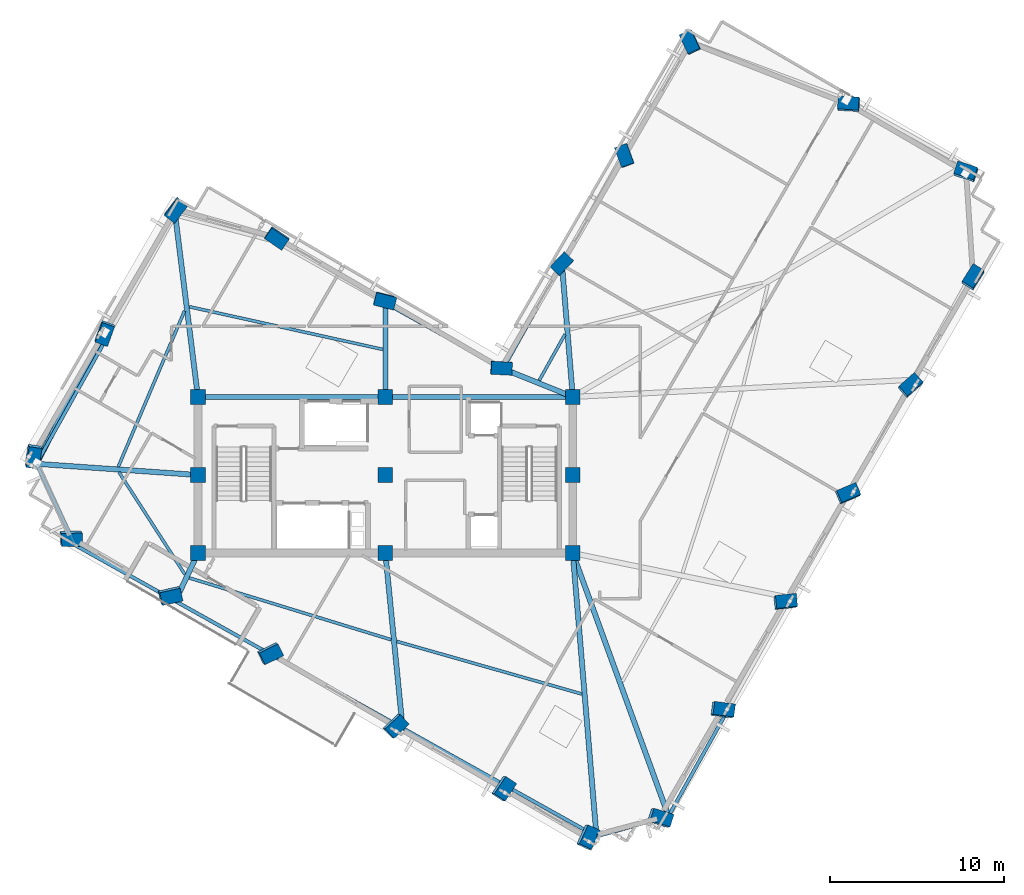
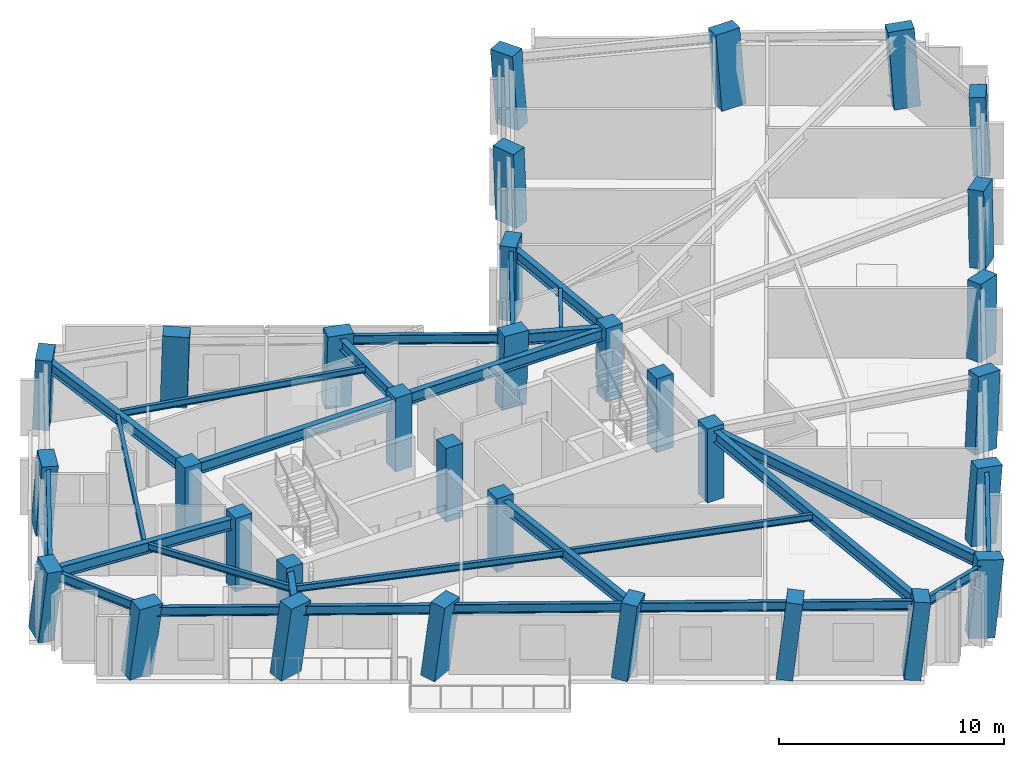
# One storey, part 1 of 12: 32 columns, 28 beams, 1 member.
"""IFC4 building model written with IfcOpenShell, lengths in metres."""

from ifc_helpers import new_model, si_unit, direction, frame, origin, origin_2d, place, context, subcontext, project, spatial, rectangle, hollow_circle, i_section, extrude, material, material_profile, profile_set, type_object, element, save


model = new_model("IFC4")

# Units and contexts
model_context = context("Model", 3, precision=1e-05, world=origin(), true_north=direction((0.0, 1.0)))
body_context = subcontext(model_context, "Body", "Model", "MODEL_VIEW")
ifc_project = project(units=[si_unit("LENGTHUNIT", "METRE"), si_unit("AREAUNIT", "SQUARE_METRE"), si_unit("VOLUMEUNIT", "CUBIC_METRE"), si_unit("PLANEANGLEUNIT", "RADIAN"), si_unit("MASSUNIT", "GRAM", prefix="KILO")], contexts=[model_context])

# Site, building, storey
site_placement = place(None, origin())
site = spatial("IfcSite", under=ifc_project, at=site_placement, CompositionType="ELEMENT")
building_placement = place(site_placement, origin())
building = spatial("IfcBuilding", under=site, at=building_placement, Name="Gaonmaruhae Medical Tower", CompositionType="ELEMENT")
storey_placement = place(building_placement, frame((0.0, 0.0, 280.60009765625)))
storey = spatial("IfcBuildingStorey", under=building, at=storey_placement, Name="L67", CompositionType="ELEMENT", Elevation=280.60009765625)

# Columns
ifc_material_1 = material(Name="Concrete C50/60", Category="concrete")
ifc_material_profile_1 = material_profile(ifc_material_1, rectangle(XDim=0.85009765625, YDim=0.85009765625, at=origin_2d()), Name="RC-850x850")
ifc_profile_set_1 = profile_set([ifc_material_profile_1], Name="Concrete C50/60")
column_type_1 = type_object("IfcColumnType", Name="CC-06 Upper Core Column (RC-850x850)", PredefinedType="COLUMN", material=ifc_profile_set_1)
for number, where, z_axis, x_axis, name in (
    (1, (14.0, 7.800048828125, 0.0), (0.0, 0.0, 1.0), (1.0, 0.0, 0.0), "L67 Plumb Core Column CC11"),
    (2, (14.0, 12.300048828125, 0.0), (0.0, 0.0, 1.0), (1.0, 0.0, 0.0), "L67 Plumb Core Column CC12"),
    (3, (14.0, 16.800048828125, 0.0), (0.0, 0.0, 1.0), (1.0, 0.0, 0.0), "L67 Plumb Core Column CC13"),
    (4, (24.800048828125, 7.800048828125, 0.0), (0.0, 0.0, 1.0), (1.0, 0.0, 0.0), "L67 Plumb Core Column CC21"),
    (5, (24.800048828125, 12.300048828125, 0.0), (0.0, 0.0, 1.0), (1.0, 0.0, 0.0), "L67 Plumb Core Column CC22"),
    (6, (24.800048828125, 16.800048828125, 0.0), (0.0, 0.0, 1.0), (1.0, 0.0, 0.0), "L67 Plumb Core Column CC23"),
    (7, (35.60009765625, 7.800048828125, 0.0), (0.0, 0.0, 1.0), (1.0, 0.0, 0.0), "L67 Plumb Core Column CC31"),
    (8, (35.60009765625, 12.300048828125, 0.0), (0.0, 0.0, 1.0), (1.0, 0.0, 0.0), "L67 Plumb Core Column CC32"),
    (9, (35.60009765625, 16.800048828125, 0.0), (0.0, 0.0, 1.0), (1.0, 0.0, 0.0), "L67 Plumb Core Column CC33"),
):
    element("IfcColumn", number, at=place(storey_placement, frame(where, z_axis=z_axis, x_axis=x_axis)), inside=storey, type_object=column_type_1, Name=name, PredefinedType="COLUMN", context=body_context, shape_type="SweptSolid", body=[
        extrude(rectangle(XDim=0.85009765625, YDim=0.85009765625, at=origin_2d()), origin(), (0.0, 0.0, 1.0), 4.0),
    ])
ifc_material_profile_2 = material_profile(ifc_material_1, rectangle(XDim=1.199951171875, YDim=0.75, at=origin_2d()), Name="RC-1200x750")
ifc_profile_set_2 = profile_set([ifc_material_profile_2], Name="Concrete C50/60")
column_type_2 = type_object("IfcColumnType", Name="TC-03 Upper Raking Tube Pier Column (RC-1200x750)", PredefinedType="COLUMN", material=ifc_profile_set_2)
column_1_placement = place(storey_placement, frame((40.584716796875, -7.474365234375, 0.001708984375), z_axis=(0.132311263784, 0.029779113349, 0.990760785399), x_axis=(-0.946101584701, 0.30189196138, 0.117273334911)))
element("IfcColumn", 10, at=column_1_placement, inside=storey, type_object=column_type_2, Name="L67 Perimeter Tube Column S01", PredefinedType="COLUMN", context=body_context, shape_type="SweptSolid", body=[
    extrude(rectangle(XDim=1.199951171875, YDim=0.75, at=origin_2d()), origin(), (0.0, 0.0, 1.0), 4.03369140625),
])
column_2_placement = place(storey_placement, frame((44.201171875, -1.248291015625, 0.001708984375), z_axis=(0.106858336303, 0.044478796428, 0.993278879586), x_axis=(-0.985962855321, 0.133640815853, 0.100086863596)))
element("IfcColumn", 11, at=column_2_placement, inside=storey, type_object=column_type_2, Name="L67 Perimeter Tube Column S02", PredefinedType="COLUMN", context=body_context, shape_type="SweptSolid", body=[
    extrude(rectangle(XDim=1.199951171875, YDim=0.75, at=origin_2d()), origin(), (0.0, 0.0, 1.0), 4.0234375),
])
column_3_placement = place(storey_placement, frame((47.8173828125, 4.9775390625, 0.001708984375), z_axis=(0.081264313142, 0.059322340783, 0.994925610935), x_axis=(-0.991015784783, -0.101579667233, 0.087001640875)))
element("IfcColumn", 12, at=column_3_placement, inside=storey, type_object=column_type_2, Name="L67 Perimeter Tube Column S03", PredefinedType="COLUMN", context=body_context, shape_type="SweptSolid", body=[
    extrude(rectangle(XDim=1.199951171875, YDim=0.75, at=origin_2d()), origin(), (0.0, 0.0, 1.0), 4.0166015625),
])
column_4_placement = place(storey_placement, frame((51.43359375, 11.20361328125, 0.001708984375), z_axis=(0.055536798453, 0.074028788299, 0.995708492743), x_axis=(-0.918464860878, -0.387321957241, 0.080025000913)))
element("IfcColumn", 13, at=column_4_placement, inside=storey, type_object=column_type_2, Name="L67 Perimeter Tube Column S04", PredefinedType="COLUMN", context=body_context, shape_type="SweptSolid", body=[
    extrude(rectangle(XDim=1.199951171875, YDim=0.75, at=origin_2d()), origin(), (0.0, 0.0, 1.0), 4.013671875),
])
column_5_placement = place(storey_placement, frame((55.0498046875, 17.429443359375, 0.001708984375), z_axis=(0.029681485229, 0.088801164824, 0.995607032197), x_axis=(-0.749276423708, -0.657289714585, 0.08096339899)))
element("IfcColumn", 14, at=column_5_placement, inside=storey, type_object=column_type_2, Name="L67 Perimeter Tube Column S05", PredefinedType="COLUMN", context=body_context, shape_type="SweptSolid", body=[
    extrude(rectangle(XDim=1.199951171875, YDim=0.75, at=origin_2d()), origin(), (0.0, 0.0, 1.0), 4.013916015625),
])
column_6_placement = place(storey_placement, frame((58.666259765625, 23.655517578125, 0.001708984375), z_axis=(0.003828096873, 0.103358615571, 0.994636789115), x_axis=(-0.533754231282, -0.840896823689, 0.089436863197)))
element("IfcColumn", 15, at=column_6_placement, inside=storey, type_object=column_type_2, Name="L67 Perimeter Tube Column S06", PredefinedType="COLUMN", context=body_context, shape_type="SweptSolid", body=[
    extrude(rectangle(XDim=1.199951171875, YDim=0.75, at=origin_2d()), origin(), (0.0, 0.0, 1.0), 4.017822265625),
])
column_7_placement = place(storey_placement, frame((58.262451171875, 29.72998046875, 0.001708984375), z_axis=(-0.021145184789, 0.101472582177, 0.994613591415), x_axis=(0.948439893155, -0.312652238983, 0.052060988571)))
element("IfcColumn", 16, at=column_7_placement, inside=storey, type_object=column_type_2, Name="L67 Perimeter Tube Column E01", PredefinedType="COLUMN", context=body_context, shape_type="SweptSolid", body=[
    extrude(rectangle(XDim=1.199951171875, YDim=0.75, at=origin_2d()), origin(), (0.0, 0.0, 1.0), 4.01806640625),
])
column_8_placement = place(storey_placement, frame((51.517822265625, 33.6474609375, 0.001708984375), z_axis=(-0.037199158282, 0.07372860995, 0.996584323927), x_axis=(0.997490610235, -0.057376614937, 0.041477783832)))
element("IfcColumn", 17, at=column_8_placement, inside=storey, type_object=column_type_2, Name="L67 Perimeter Tube Column E02", PredefinedType="COLUMN", context=body_context, shape_type="SweptSolid", body=[
    extrude(rectangle(XDim=1.199951171875, YDim=0.75, at=origin_2d()), origin(), (0.0, 0.0, 1.0), 4.010009765625),
])
column_9_placement = place(storey_placement, frame((42.376708984375, 37.222412109375, 0.001708984375), z_axis=(-0.051702493642, 0.035911283909, 0.998016649079), x_axis=(0.422270840945, -0.904833829435, 0.054434162054)))
element("IfcColumn", 18, at=column_9_placement, inside=storey, type_object=column_type_2, Name="L67 Perimeter Tube Column E03", PredefinedType="COLUMN", context=body_context, shape_type="SweptSolid", body=[
    extrude(rectangle(XDim=1.199951171875, YDim=0.75, at=origin_2d()), origin(), (0.0, 0.0, 1.0), 4.00439453125),
])
column_10_placement = place(storey_placement, frame((38.58447265625, 30.69384765625, 0.001708984375), z_axis=(-0.02454607751, 0.020455064592, 0.999489409855), x_axis=(0.34240952638, -0.939144474892, 0.027629178856)))
element("IfcColumn", 19, at=column_10_placement, inside=storey, type_object=column_type_2, Name="L67 Perimeter Tube Column EN01", PredefinedType="COLUMN", context=body_context, shape_type="SweptSolid", body=[
    extrude(rectangle(XDim=1.199951171875, YDim=0.75, at=origin_2d()), origin(), (0.0, 0.0, 1.0), 3.998291015625),
])
column_11_placement = place(storey_placement, frame((34.96826171875, 24.4677734375, 0.001708984375), z_axis=(0.001343981005, 0.005681374248, 0.999982957706), x_axis=(-0.687834203859, -0.725850275313, 0.005048349202)))
element("IfcColumn", 20, at=column_11_placement, inside=storey, type_object=column_type_2, Name="L67 Perimeter Tube Column EN02", PredefinedType="COLUMN", context=body_context, shape_type="SweptSolid", body=[
    extrude(rectangle(XDim=1.199951171875, YDim=0.75, at=origin_2d()), origin(), (0.0, 0.0, 1.0), 3.996337890625),
])
column_12_placement = place(storey_placement, frame((31.4775390625, 18.4580078125, 0.001708984375), z_axis=(0.026381199272, -0.008549462727, 0.999615395546), x_axis=(-0.99817719422, 0.0540716482, 0.026805704603)))
element("IfcColumn", 21, at=column_12_placement, inside=storey, type_object=column_type_2, Name="L67 Perimeter Tube Column KN01", PredefinedType="COLUMN", context=body_context, shape_type="SweptSolid", body=[
    extrude(rectangle(XDim=1.199951171875, YDim=0.75, at=origin_2d()), origin(), (0.0, 0.0, 1.0), 3.997802734375),
])
column_13_placement = place(storey_placement, frame((24.776123046875, 22.3505859375, 0.001708984375), z_axis=(0.010439066111, -0.036445160635, 0.999281129695), x_axis=(-0.969488829327, 0.244394845275, 0.019041255571)))
element("IfcColumn", 22, at=column_13_placement, inside=storey, type_object=column_type_2, Name="L67 Perimeter Tube Column NE01", PredefinedType="COLUMN", context=body_context, shape_type="SweptSolid", body=[
    extrude(rectangle(XDim=1.199951171875, YDim=0.75, at=origin_2d()), origin(), (0.0, 0.0, 1.0), 3.999267578125),
])
column_14_placement = place(storey_placement, frame((18.550048828125, 25.966796875, 0.001708984375), z_axis=(-0.004328997208, -0.062313171074, 0.998047257646), x_axis=(-0.827892947703, 0.560008026617, 0.03137319347)))
element("IfcColumn", 23, at=column_14_placement, inside=storey, type_object=column_type_2, Name="L67 Perimeter Tube Column NE02", PredefinedType="COLUMN", context=body_context, shape_type="SweptSolid", body=[
    extrude(rectangle(XDim=1.199951171875, YDim=0.75, at=origin_2d()), origin(), (0.0, 0.0, 1.0), 4.004150390625),
])
column_15_placement = place(storey_placement, frame((12.738037109375, 27.60791015625, 0.001708984375), z_axis=(-0.01089391404, -0.086238414493, 0.99621496601), x_axis=(0.60626733856, 0.791700868154, 0.075164150759)))
element("IfcColumn", 24, at=column_15_placement, inside=storey, type_object=column_type_2, Name="L67 Perimeter Tube Column N01", PredefinedType="COLUMN", context=body_context, shape_type="SweptSolid", body=[
    extrude(rectangle(XDim=1.199951171875, YDim=0.75, at=origin_2d()), origin(), (0.0, 0.0, 1.0), 4.011474609375),
])
column_16_placement = place(storey_placement, frame((8.61962890625, 20.517333984375, 0.001708984375), z_axis=(0.018469996615, -0.102860869307, 0.994524258523), x_axis=(0.342369599911, 0.935209458744, 0.090367722847)))
element("IfcColumn", 25, at=column_16_placement, inside=storey, type_object=column_type_2, Name="L67 Perimeter Tube Column N02", PredefinedType="COLUMN", context=body_context, shape_type="SweptSolid", body=[
    extrude(rectangle(XDim=1.199951171875, YDim=0.75, at=origin_2d()), origin(), (0.0, 0.0, 1.0), 4.018310546875),
])
column_17_placement = place(storey_placement, frame((4.5009765625, 13.426513671875, 0.001708984375), z_axis=(0.047741083689, -0.11923153896, 0.991718018917), x_axis=(0.147510708326, 0.982805432518, 0.111058870611)))
element("IfcColumn", 26, at=column_17_placement, inside=storey, type_object=column_type_2, Name="L67 Perimeter Tube Column N03", PredefinedType="COLUMN", context=body_context, shape_type="SweptSolid", body=[
    extrude(rectangle(XDim=1.199951171875, YDim=0.75, at=origin_2d()), origin(), (0.0, 0.0, 1.0), 4.02978515625),
])
column_18_placement = place(storey_placement, frame((6.669189453125, 8.69775390625, 0.001708984375), z_axis=(0.067123543714, -0.110135922809, 0.991647370987), x_axis=(-0.997593462831, -0.024711057687, 0.064781529351)))
element("IfcColumn", 27, at=column_18_placement, inside=storey, type_object=column_type_2, Name="L67 Perimeter Tube Column W01", PredefinedType="COLUMN", context=body_context, shape_type="SweptSolid", body=[
    extrude(rectangle(XDim=1.199951171875, YDim=0.75, at=origin_2d()), origin(), (0.0, 0.0, 1.0), 4.030029296875),
])
column_19_placement = place(storey_placement, frame((12.37646484375, 5.383056640625, 0.001708984375), z_axis=(0.080618732892, -0.086745513947, 0.992963159295), x_axis=(-0.972922831378, -0.223345648991, 0.059480124922)))
element("IfcColumn", 28, at=column_19_placement, inside=storey, type_object=column_type_2, Name="L67 Perimeter Tube Column W02", PredefinedType="COLUMN", context=body_context, shape_type="SweptSolid", body=[
    extrude(rectangle(XDim=1.199951171875, YDim=0.75, at=origin_2d()), origin(), (0.0, 0.0, 1.0), 4.024658203125),
])
column_20_placement = place(storey_placement, frame((18.126708984375, 2.04296875, 0.001708984375), z_axis=(0.09426304422, -0.062943191794, 0.99355555109), x_axis=(-0.895202186555, -0.442009085185, 0.056929902522)))
element("IfcColumn", 29, at=column_20_placement, inside=storey, type_object=column_type_2, Name="L67 Perimeter Tube Column W03", PredefinedType="COLUMN", context=body_context, shape_type="SweptSolid", body=[
    extrude(rectangle(XDim=1.199951171875, YDim=0.75, at=origin_2d()), origin(), (0.0, 0.0, 1.0), 4.022216796875),
])
column_21_placement = place(storey_placement, frame((25.34716796875, -2.15087890625, 0.001708984375), z_axis=(0.111223542328, -0.033069738444, 0.993245043296), x_axis=(-0.724623895485, -0.686675735854, 0.058280733361)))
element("IfcColumn", 30, at=column_21_placement, inside=storey, type_object=column_type_2, Name="L67 Perimeter Tube Column W04", PredefinedType="COLUMN", context=body_context, shape_type="SweptSolid", body=[
    extrude(rectangle(XDim=1.199951171875, YDim=0.75, at=origin_2d()), origin(), (0.0, 0.0, 1.0), 4.0234375),
])
column_22_placement = place(storey_placement, frame((31.5732421875, -5.76708984375, 0.001708984375), z_axis=(0.125754243834, -0.007333139038, 0.992034321599), x_axis=(-0.547758382926, -0.834240820767, 0.063269320377)))
element("IfcColumn", 31, at=column_22_placement, inside=storey, type_object=column_type_2, Name="L67 Perimeter Tube Column W05", PredefinedType="COLUMN", context=body_context, shape_type="SweptSolid", body=[
    extrude(rectangle(XDim=1.199951171875, YDim=0.75, at=origin_2d()), origin(), (0.0, 0.0, 1.0), 4.0283203125),
])
column_23_placement = place(storey_placement, frame((36.41552734375, -8.579833984375, 0.001708984375), z_axis=(0.136935548599, 0.012707231642, 0.990498451182), x_axis=(-0.415465254366, -0.906982620106, 0.06907350607)))
element("IfcColumn", 32, at=column_23_placement, inside=storey, type_object=column_type_2, Name="L67 Perimeter Tube Column W06", PredefinedType="COLUMN", context=body_context, shape_type="SweptSolid", body=[
    extrude(rectangle(XDim=1.199951171875, YDim=0.75, at=origin_2d()), origin(), (0.0, 0.0, 1.0), 4.03466796875),
])

# Beams
ifc_material_2 = material(Name="Steel SM355", Category="steel")
ifc_material_profile_3 = material_profile(ifc_material_2, i_section(OverallWidth=0.175048828125, OverallDepth=0.35009765625, WebThickness=0.007080078125, FlangeThickness=0.010986328125, FilletRadius=0.012939453125, at=origin_2d()), Name="H-350x175x7x11")
ifc_profile_set_3 = profile_set([ifc_material_profile_3], Name="Steel SM355")
beam_type_1 = type_object("IfcBeamType", Name="FJ-02 Upper Zone Ward Floor Joist (H-350x175x7x11)", PredefinedType="JOIST", material=ifc_profile_set_3)
beam_1_placement = place(storey_placement, frame((35.152587890625, 20.405029296875, 3.60498046875), z_axis=(-0.487855526474, -0.872924386925, 0.0), x_axis=(0.872924386925, -0.487855526474, 0.0)))
element("IfcBeam", 33, at=beam_1_placement, inside=storey, type_object=beam_type_1, Name="L67 Secondary Floor Joist FJ05", PredefinedType="JOIST", context=body_context, shape_type="SweptSolid", body=[
    extrude(i_section(OverallWidth=0.175048828125, OverallDepth=0.35009765625, WebThickness=0.007080078125, FlangeThickness=0.010986328125, FilletRadius=0.012939453125, at=origin_2d()), origin(), (0.0, 0.0, 1.0), 3.042724609375),
])
beam_2_placement = place(storey_placement, frame((24.653076171875, 19.53662109375, 3.60498046875), z_axis=(-0.976516625977, 0.215442055297, 0.0), x_axis=(-0.215442055297, -0.976516625977, 0.0)))
element("IfcBeam", 34, at=beam_2_placement, inside=storey, type_object=beam_type_1, Name="L67 Secondary Floor Joist FJ07", PredefinedType="JOIST", context=body_context, shape_type="SweptSolid", body=[
    extrude(i_section(OverallWidth=0.175048828125, OverallDepth=0.35009765625, WebThickness=0.007080078125, FlangeThickness=0.010986328125, FilletRadius=0.012939453125, at=origin_2d()), origin(), (0.0, 0.0, 1.0), 11.41259765625),
])
beam_3_placement = place(storey_placement, frame((13.22802734375, 21.750732421875, 3.60498046875), z_axis=(-0.391310765171, -0.920258596842, 0.0), x_axis=(0.920258596842, -0.391310765171, 0.0)))
element("IfcBeam", 35, at=beam_3_placement, inside=storey, type_object=beam_type_1, Name="L67 Secondary Floor Joist FJ08", PredefinedType="JOIST", context=body_context, shape_type="SweptSolid", body=[
    extrude(i_section(OverallWidth=0.175048828125, OverallDepth=0.35009765625, WebThickness=0.007080078125, FlangeThickness=0.010986328125, FilletRadius=0.012939453125, at=origin_2d()), origin(), (0.0, 0.0, 1.0), 9.754150390625),
])
beam_4_placement = place(storey_placement, frame((9.45166015625, 12.46044921875, 3.5849609375), z_axis=(0.542114175918, -0.840304837704, 0.0), x_axis=(0.840304837704, 0.542114175918, 0.0)))
element("IfcBeam", 36, at=beam_4_placement, inside=storey, type_object=beam_type_1, Name="L67 Secondary Floor Joist FJ09", PredefinedType="JOIST", context=body_context, shape_type="SweptSolid", body=[
    extrude(i_section(OverallWidth=0.175048828125, OverallDepth=0.35009765625, WebThickness=0.007080078125, FlangeThickness=0.010986328125, FilletRadius=0.012939453125, at=origin_2d()), origin(), (0.0, 0.0, 1.0), 7.00927734375),
])
beam_5_placement = place(storey_placement, frame((13.501220703125, 6.370849609375, 3.5849609375), z_axis=(0.956159949729, -0.292844925745, 0.0), x_axis=(0.292844925745, 0.956159949729, 0.0)))
element("IfcBeam", 37, at=beam_5_placement, inside=storey, type_object=beam_type_1, Name="L67 Secondary Floor Joist FJ10", PredefinedType="JOIST", context=body_context, shape_type="SweptSolid", body=[
    extrude(i_section(OverallWidth=0.175048828125, OverallDepth=0.35009765625, WebThickness=0.007080078125, FlangeThickness=0.010986328125, FilletRadius=0.012939453125, at=origin_2d()), origin(), (0.0, 0.0, 1.0), 12.16845703125),
])
beam_6_placement = place(storey_placement, frame((25.458251953125, 2.71240234375, 3.60498046875), z_axis=(0.961908518054, -0.273371547339, 0.0), x_axis=(0.273371547339, 0.961908518054, 0.0)))
element("IfcBeam", 38, at=beam_6_placement, inside=storey, type_object=beam_type_1, Name="L67 Secondary Floor Joist FJ11", PredefinedType="JOIST", context=body_context, shape_type="SweptSolid", body=[
    extrude(i_section(OverallWidth=0.175048828125, OverallDepth=0.35009765625, WebThickness=0.007080078125, FlangeThickness=0.010986328125, FilletRadius=0.012939453125, at=origin_2d()), origin(), (0.0, 0.0, 1.0), 11.08837890625),
])

# Member
ifc_material_profile_4 = material_profile(ifc_material_2, hollow_circle(Radius=0.1591796875, WallThickness=0.01025390625, at=origin_2d()), Name="CHS-318.5x10.3")
ifc_profile_set_4 = profile_set([ifc_material_profile_4], Name="Steel SM355")
member_type = type_object("IfcMemberType", Name="PB-03 Perimeter Solid-Bay Tube Brace Upper (CHS-318.5x10.3)", PredefinedType="BRACE", material=ifc_profile_set_4)
member_placement = place(storey_placement, frame((8.61962890625, 20.517578125, 0.25), z_axis=(-0.429648239029, -0.828597776072, 0.358926338108), x_axis=(0.88775236521, -0.460321342177, 0.0)))
element("IfcMember", 39, at=member_placement, inside=storey, type_object=member_type, Name="L67 Perimeter Tube Solid-Bay Brace N02-N03", PredefinedType="BRACE", context=body_context, shape_type="SweptSolid", body=[
    extrude(hollow_circle(Radius=0.1591796875, WallThickness=0.01025390625, at=origin_2d()), origin(), (0.0, 0.0, 1.0), 9.1376953125),
])

# Beams
ifc_material_3 = material(Name="Steel SM420", Category="steel")
ifc_material_profile_5 = material_profile(ifc_material_3, i_section(OverallWidth=0.300048828125, OverallDepth=0.60009765625, WebThickness=0.011962890625, FlangeThickness=0.02001953125, FilletRadius=0.012939453125, at=origin_2d()), Name="H-600x300x12x20")
ifc_profile_set_5 = profile_set([ifc_material_profile_5], Name="Steel SM420")
beam_type_2 = type_object("IfcBeamType", Name="PG-04 Zone 4 Radial Floor Girder (H-600x300x12x20)", PredefinedType="BEAM", material=ifc_profile_set_5)
for number, where, z_axis, x_axis, name in (
    (40, (14.050048828125, 16.800048828125, 3.47998046875), (1.0, 0.0, 0.0), (0.0, 1.0, 0.0), "L67 Beam BM-L67-CG-N1"),
    (41, (24.85009765625, 16.800048828125, 3.47998046875), (1.0, 0.0, 0.0), (0.0, 1.0, 0.0), "L67 Beam BM-L67-CG-N2"),
):
    element("IfcBeam", number, at=place(storey_placement, frame(where, z_axis=z_axis, x_axis=x_axis)), inside=storey, type_object=beam_type_2, Name=name, PredefinedType="BEAM", context=body_context, shape_type="SweptSolid", body=[
        extrude(i_section(OverallWidth=0.300048828125, OverallDepth=0.60009765625, WebThickness=0.011962890625, FlangeThickness=0.02001953125, FilletRadius=0.012939453125, at=origin_2d()), origin(), (0.0, 0.0, 1.0), 10.699951171875),
    ])
beam_7_placement = place(storey_placement, frame((35.6171875, 7.7529296875, 3.47998046875), z_axis=(0.342183323232, -0.939633212111, 0.0), x_axis=(0.939633212111, 0.342183323232, 0.0)))
element("IfcBeam", 42, at=beam_7_placement, inside=storey, type_object=beam_type_2, Name="L67 Radial Primary Girder S01", PredefinedType="BEAM", context=body_context, shape_type="SweptSolid", body=[
    extrude(i_section(OverallWidth=0.300048828125, OverallDepth=0.60009765625, WebThickness=0.011962890625, FlangeThickness=0.02001953125, FilletRadius=0.012939453125, at=origin_2d()), origin(), (0.0, 0.0, 1.0), 16.027587890625),
])
beam_8_placement = place(storey_placement, frame((35.595947265625, 16.849853515625, 3.47998046875), z_axis=(-0.081198888053, 0.996697918418, 0.0), x_axis=(-0.996697918418, -0.081198888053, 0.0)))
element("IfcBeam", 43, at=beam_8_placement, inside=storey, type_object=beam_type_2, Name="L67 Radial Primary Girder EN02", PredefinedType="BEAM", context=body_context, shape_type="SweptSolid", body=[
    extrude(i_section(OverallWidth=0.300048828125, OverallDepth=0.60009765625, WebThickness=0.011962890625, FlangeThickness=0.02001953125, FilletRadius=0.012939453125, at=origin_2d()), origin(), (0.0, 0.0, 1.0), 7.615966796875),
])
beam_9_placement = place(storey_placement, frame((35.5537109375, 16.81884765625, 3.47998046875), z_axis=(-0.927130106102, 0.374739598068, 0.0), x_axis=(-0.374739598068, -0.927130106102, 0.0)))
element("IfcBeam", 44, at=beam_9_placement, inside=storey, type_object=beam_type_2, Name="L67 Radial Primary Girder KN01", PredefinedType="BEAM", context=body_context, shape_type="SweptSolid", body=[
    extrude(i_section(OverallWidth=0.300048828125, OverallDepth=0.60009765625, WebThickness=0.011962890625, FlangeThickness=0.02001953125, FilletRadius=0.012939453125, at=origin_2d()), origin(), (0.0, 0.0, 1.0), 4.232666015625),
])
beam_10_placement = place(storey_placement, frame((24.800048828125, 16.85009765625, 3.47998046875), z_axis=(0.003313830932, 0.999994509247, 0.0), x_axis=(-0.999994509247, 0.003313830932, 0.0)))
element("IfcBeam", 45, at=beam_10_placement, inside=storey, type_object=beam_type_2, Name="L67 Radial Primary Girder NE01", PredefinedType="BEAM", context=body_context, shape_type="SweptSolid", body=[
    extrude(i_section(OverallWidth=0.300048828125, OverallDepth=0.60009765625, WebThickness=0.011962890625, FlangeThickness=0.02001953125, FilletRadius=0.012939453125, at=origin_2d()), origin(), (0.0, 0.0, 1.0), 5.304443359375),
])
beam_11_placement = place(storey_placement, frame((13.993896484375, 16.849609375, 3.47998046875), z_axis=(-0.123836194243, 0.992302674085, 0.0), x_axis=(-0.992302674085, -0.123836194243, 0.0)))
element("IfcBeam", 46, at=beam_11_placement, inside=storey, type_object=beam_type_2, Name="L67 Radial Primary Girder N01", PredefinedType="BEAM", context=body_context, shape_type="SweptSolid", body=[
    extrude(i_section(OverallWidth=0.300048828125, OverallDepth=0.60009765625, WebThickness=0.011962890625, FlangeThickness=0.02001953125, FilletRadius=0.012939453125, at=origin_2d()), origin(), (0.0, 0.0, 1.0), 10.44287109375),
])
beam_12_placement = place(storey_placement, frame((13.9501953125, 12.303466796875, 3.47998046875), z_axis=(-0.997600746227, 0.069229698308, 0.0), x_axis=(-0.069229698308, -0.997600746227, 0.0)))
element("IfcBeam", 47, at=beam_12_placement, inside=storey, type_object=beam_type_2, Name="L67 Radial Primary Girder N03", PredefinedType="BEAM", context=body_context, shape_type="SweptSolid", body=[
    extrude(i_section(OverallWidth=0.300048828125, OverallDepth=0.60009765625, WebThickness=0.011962890625, FlangeThickness=0.02001953125, FilletRadius=0.012939453125, at=origin_2d()), origin(), (0.0, 0.0, 1.0), 9.22900390625),
])
beam_13_placement = place(storey_placement, frame((13.978759765625, 7.754638671875, 3.4599609375), z_axis=(-0.425041118957, -0.905174042489, 0.0), x_axis=(0.905174042489, -0.425041118957, 0.0)))
element("IfcBeam", 48, at=beam_13_placement, inside=storey, type_object=beam_type_2, Name="L67 Radial Primary Girder W02", PredefinedType="BEAM", context=body_context, shape_type="SweptSolid", body=[
    extrude(i_section(OverallWidth=0.300048828125, OverallDepth=0.60009765625, WebThickness=0.011962890625, FlangeThickness=0.02001953125, FilletRadius=0.012939453125, at=origin_2d()), origin(), (0.0, 0.0, 1.0), 2.955810546875),
])
beam_14_placement = place(storey_placement, frame((24.804931640625, 7.750244140625, 3.47998046875), z_axis=(0.098185766674, -0.995168104002, 0.0), x_axis=(0.995168104002, 0.098185766674, 0.0)))
element("IfcBeam", 49, at=beam_14_placement, inside=storey, type_object=beam_type_2, Name="L67 Radial Primary Girder W04", PredefinedType="BEAM", context=body_context, shape_type="SweptSolid", body=[
    extrude(i_section(OverallWidth=0.300048828125, OverallDepth=0.60009765625, WebThickness=0.011962890625, FlangeThickness=0.02001953125, FilletRadius=0.012939453125, at=origin_2d()), origin(), (0.0, 0.0, 1.0), 10.033203125),
])
beam_15_placement = place(storey_placement, frame((35.604248046875, 7.750244140625, 3.47998046875), z_axis=(0.083499541668, -0.996507815595, 0.0), x_axis=(0.996507815595, 0.083499541668, 0.0)))
element("IfcBeam", 50, at=beam_15_placement, inside=storey, type_object=beam_type_2, Name="L67 Radial Primary Girder W06", PredefinedType="BEAM", context=body_context, shape_type="SweptSolid", body=[
    extrude(i_section(OverallWidth=0.300048828125, OverallDepth=0.60009765625, WebThickness=0.011962890625, FlangeThickness=0.02001953125, FilletRadius=0.012939453125, at=origin_2d()), origin(), (0.0, 0.0, 1.0), 16.285888671875),
])
ifc_material_profile_6 = material_profile(ifc_material_2, i_section(OverallWidth=0.199951171875, OverallDepth=0.5, WebThickness=0.010009765625, FlangeThickness=0.01611328125, FilletRadius=0.012939453125, at=origin_2d()), Name="H-500x200x10x16")
ifc_profile_set_6 = profile_set([ifc_material_profile_6], Name="Steel SM355")
beam_type_3 = type_object("IfcBeamType", Name="SP-02 Upper Perimeter Spandrel Beam (H-500x200x10x16)", PredefinedType="SPANDREL", material=ifc_profile_set_6)
beam_16_placement = place(storey_placement, frame((41.13818359375, -7.3193359375, 3.52978515625), z_axis=(0.487859782248, 0.872922008467, 0.0), x_axis=(-0.872922008467, 0.487859782248, 0.0)))
element("IfcBeam", 51, at=beam_16_placement, inside=storey, type_object=beam_type_3, Name="L67 Perimeter Spandrel Beam S01-S02", PredefinedType="SPANDREL", context=body_context, shape_type="SweptSolid", body=[
    extrude(i_section(OverallWidth=0.199951171875, OverallDepth=0.5, WebThickness=0.010009765625, FlangeThickness=0.01611328125, FilletRadius=0.012939453125, at=origin_2d()), origin(), (0.0, 0.0, 1.0), 7.1201171875),
])
beam_17_placement = place(storey_placement, frame((34.9541015625, 24.45556640625, 3.52978515625), z_axis=(-0.48786516456, -0.872919000371, 0.0), x_axis=(0.872919000371, -0.48786516456, 0.0)))
element("IfcBeam", 52, at=beam_17_placement, inside=storey, type_object=beam_type_3, Name="L67 Perimeter Spandrel Beam EN02-KN01", PredefinedType="SPANDREL", context=body_context, shape_type="SweptSolid", body=[
    extrude(i_section(OverallWidth=0.199951171875, OverallDepth=0.5, WebThickness=0.010009765625, FlangeThickness=0.01611328125, FilletRadius=0.012939453125, at=origin_2d()), origin(), (0.0, 0.0, 1.0), 6.869873046875),
])
beam_18_placement = place(storey_placement, frame((31.548095703125, 18.443359375, 3.52978515625), z_axis=(-0.87293231904, 0.487841333197, 0.0), x_axis=(-0.487841333197, -0.87293231904, 0.0)))
element("IfcBeam", 53, at=beam_18_placement, inside=storey, type_object=beam_type_3, Name="L67 Perimeter Spandrel Beam KN01-NE01", PredefinedType="SPANDREL", context=body_context, shape_type="SweptSolid", body=[
    extrude(i_section(OverallWidth=0.199951171875, OverallDepth=0.5, WebThickness=0.010009765625, FlangeThickness=0.01611328125, FilletRadius=0.012939453125, at=origin_2d()), origin(), (0.0, 0.0, 1.0), 7.669921875),
])
beam_19_placement = place(storey_placement, frame((8.67431640625, 20.069091796875, 3.52978515625), z_axis=(-0.487859767849, -0.872922016514, 0.0), x_axis=(0.872922016514, -0.487859767849, 0.0)))
element("IfcBeam", 54, at=beam_19_placement, inside=storey, type_object=beam_type_3, Name="L67 Perimeter Spandrel Beam N02-N03", PredefinedType="SPANDREL", context=body_context, shape_type="SweptSolid", body=[
    extrude(i_section(OverallWidth=0.199951171875, OverallDepth=0.5, WebThickness=0.010009765625, FlangeThickness=0.01611328125, FilletRadius=0.012939453125, at=origin_2d()), origin(), (0.0, 0.0, 1.0), 8.1201171875),
])
beam_20_placement = place(storey_placement, frame((4.710693359375, 12.909912109375, 3.52978515625), z_axis=(0.431819748171, -0.901959924326, 0.0), x_axis=(0.901959924326, 0.431819748171, 0.0)))
element("IfcBeam", 55, at=beam_20_placement, inside=storey, type_object=beam_type_3, Name="L67 Perimeter Spandrel Beam N03-W01", PredefinedType="SPANDREL", context=body_context, shape_type="SweptSolid", body=[
    extrude(i_section(OverallWidth=0.199951171875, OverallDepth=0.5, WebThickness=0.010009765625, FlangeThickness=0.01611328125, FilletRadius=0.012939453125, at=origin_2d()), origin(), (0.0, 0.0, 1.0), 5.122314453125),
])
beam_21_placement = place(storey_placement, frame((6.974853515625, 8.234130859375, 3.510009765625), z_axis=(0.872932226004, -0.487841499673, 0.0), x_axis=(0.487841499673, 0.872932226004, 0.0)))
element("IfcBeam", 56, at=beam_21_placement, inside=storey, type_object=beam_type_3, Name="L67 Perimeter Spandrel Beam W01-W02", PredefinedType="SPANDREL", context=body_context, shape_type="SweptSolid", body=[
    extrude(i_section(OverallWidth=0.199951171875, OverallDepth=0.5, WebThickness=0.010009765625, FlangeThickness=0.01611328125, FilletRadius=0.012939453125, at=origin_2d()), origin(), (0.0, 0.0, 1.0), 6.519775390625),
])
beam_22_placement = place(storey_placement, frame((12.736083984375, 5.014404296875, 3.510009765625), z_axis=(0.872916952248, -0.487868829172, 0.0), x_axis=(0.487868829172, 0.872916952248, 0.0)))
element("IfcBeam", 57, at=beam_22_placement, inside=storey, type_object=beam_type_3, Name="L67 Perimeter Spandrel Beam W02-W03", PredefinedType="SPANDREL", context=body_context, shape_type="SweptSolid", body=[
    extrude(i_section(OverallWidth=0.199951171875, OverallDepth=0.5, WebThickness=0.010009765625, FlangeThickness=0.01611328125, FilletRadius=0.012939453125, at=origin_2d()), origin(), (0.0, 0.0, 1.0), 6.570068359375),
])
beam_23_placement = place(storey_placement, frame((18.541015625, 1.77001953125, 3.52978515625), z_axis=(0.872929061434, -0.487847162238, 0.0), x_axis=(0.487847162238, 0.872929061434, 0.0)))
element("IfcBeam", 58, at=beam_23_placement, inside=storey, type_object=beam_type_3, Name="L67 Perimeter Spandrel Beam W03-W04", PredefinedType="SPANDREL", context=body_context, shape_type="SweptSolid", body=[
    extrude(i_section(OverallWidth=0.199951171875, OverallDepth=0.5, WebThickness=0.010009765625, FlangeThickness=0.01611328125, FilletRadius=0.012939453125, at=origin_2d()), origin(), (0.0, 0.0, 1.0), 8.269775390625),
])
beam_24_placement = place(storey_placement, frame((25.829833984375, -2.303466796875, 3.52978515625), z_axis=(0.872922008467, -0.487859782248, 0.0), x_axis=(0.487859782248, 0.872922008467, 0.0)))
element("IfcBeam", 59, at=beam_24_placement, inside=storey, type_object=beam_type_3, Name="L67 Perimeter Spandrel Beam W04-W05", PredefinedType="SPANDREL", context=body_context, shape_type="SweptSolid", body=[
    extrude(i_section(OverallWidth=0.199951171875, OverallDepth=0.5, WebThickness=0.010009765625, FlangeThickness=0.01611328125, FilletRadius=0.012939453125, at=origin_2d()), origin(), (0.0, 0.0, 1.0), 7.1201171875),
])
beam_25_placement = place(storey_placement, frame((32.114990234375, -5.816162109375, 3.52978515625), z_axis=(0.872923538541, -0.487857044493, 0.0), x_axis=(0.487857044493, 0.872923538541, 0.0)))
element("IfcBeam", 60, at=beam_25_placement, inside=storey, type_object=beam_type_3, Name="L67 Perimeter Spandrel Beam W05-W06", PredefinedType="SPANDREL", context=body_context, shape_type="SweptSolid", body=[
    extrude(i_section(OverallWidth=0.199951171875, OverallDepth=0.5, WebThickness=0.010009765625, FlangeThickness=0.01611328125, FilletRadius=0.012939453125, at=origin_2d()), origin(), (0.0, 0.0, 1.0), 5.519775390625),
])
beam_26_placement = place(storey_placement, frame((37.0068359375, -8.517822265625, 3.52978515625), z_axis=(0.962208611809, 0.272313399159, 0.0), x_axis=(-0.272313399159, 0.962208611809, 0.0)))
element("IfcBeam", 61, at=beam_26_placement, inside=storey, type_object=beam_type_3, Name="L67 Perimeter Spandrel Beam W06-S01", PredefinedType="SPANDREL", context=body_context, shape_type="SweptSolid", body=[
    extrude(i_section(OverallWidth=0.199951171875, OverallDepth=0.5, WebThickness=0.010009765625, FlangeThickness=0.01611328125, FilletRadius=0.012939453125, at=origin_2d()), origin(), (0.0, 0.0, 1.0), 4.2333984375),
])

save(model, "model.ifc")
